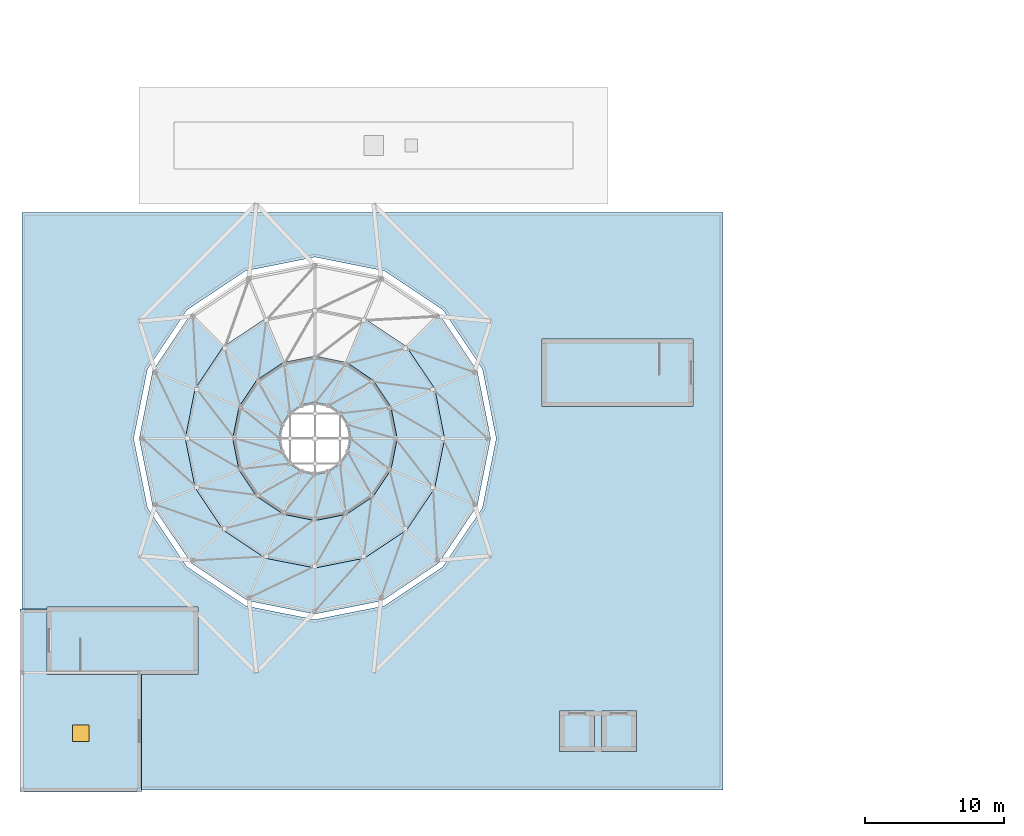
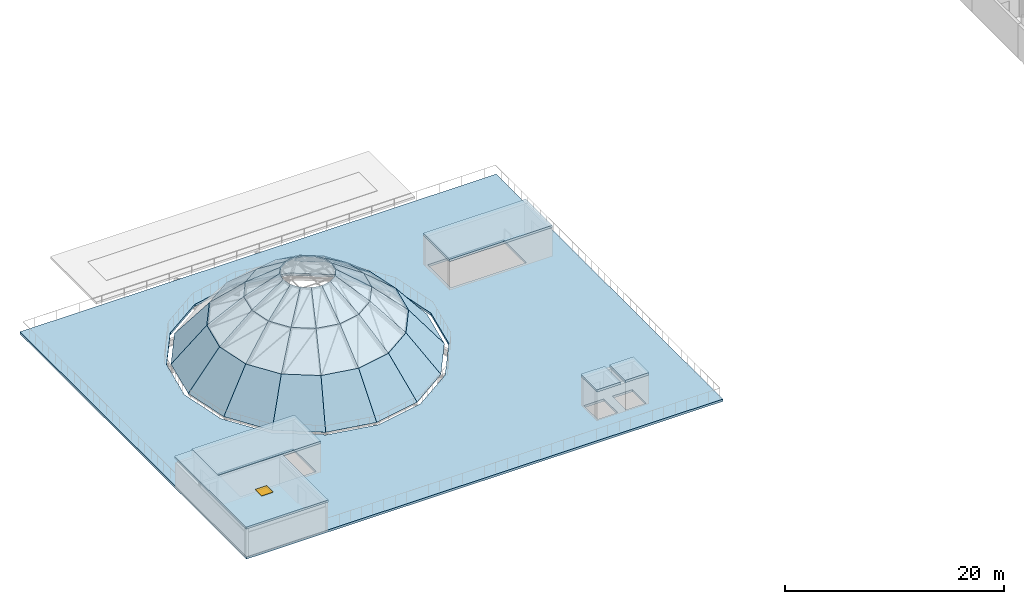
# One storey, part 18 of 40: 48 slabs, 1 window, 1 opening.
"""IFC4 building model written with IfcOpenShell, lengths in metres."""

from ifc_helpers import new_model, si_unit, direction, frame, origin, origin_2d, place, context, subcontext, project, spatial, polyline, rectangle, outline, extrude, material, layer, layer_set, type_object, element, fill, save


model = new_model("IFC4")

# Units and contexts
model_context = context("Model", 3, precision=1e-05, world=origin(), true_north=direction((0.0, 1.0)))
body_context = subcontext(model_context, "Body", "Model", "MODEL_VIEW")
ifc_project = project(units=[si_unit("LENGTHUNIT", "METRE"), si_unit("AREAUNIT", "SQUARE_METRE"), si_unit("VOLUMEUNIT", "CUBIC_METRE"), si_unit("PLANEANGLEUNIT", "RADIAN"), si_unit("MASSUNIT", "GRAM", prefix="KILO"), si_unit("THERMODYNAMICTEMPERATUREUNIT", "KELVIN")], contexts=[model_context])

# Site, building, storey
site_placement = place(None, origin())
site = spatial("IfcSite", under=ifc_project, at=site_placement, CompositionType="ELEMENT")
building_placement = place(site_placement, origin())
building = spatial("IfcBuilding", under=site, at=building_placement, Name="Lustrewick Department Store", CompositionType="ELEMENT")
storey_placement = place(building_placement, frame((0.0, 0.0, 31.800048828125)))
storey = spatial("IfcBuildingStorey", under=building, at=storey_placement, Name="L07", CompositionType="ELEMENT", Elevation=31.800048828125)

# Slab, opening, window
ifc_material_1 = material(Name="Concrete C35", Category="concrete")
ifc_layer_1 = layer(ifc_material_1, 0.248046875, Name="Concrete C35")
ifc_layer_set_1 = layer_set([ifc_layer_1], Name="Concrete C35")
slab_type_1 = type_object("IfcSlabType", Name="RS01", PredefinedType="ROOF", material=ifc_layer_set_1)
slab_1_placement = place(storey_placement, frame((0.0, 0.0, 3.199951171875)))
slab_1 = element("IfcSlab", 1, at=slab_1_placement, inside=storey, type_object=slab_type_1, Name="L07 Refuge Lounge Roof Slab", PredefinedType="ROOF", context=body_context, shape_type="SweptSolid", body=[
    extrude(outline(polyline([(10.175048828125, 50.27490234375), (10.175048828125, 54.949951171875), (8.25, 54.949951171875), (8.25, 50.27490234375), (8.25, 41.85009765625), (16.949951171875, 41.85009765625), (16.949951171875, 50.27490234375), (10.175048828125, 50.27490234375)])), origin(), (0.0, 0.0, 1.0), 0.248046875),
])
opening_placement = place(slab_1_placement, frame((12.60009765625, 46.0625, -0.010009765625)))
opening = element("IfcOpeningElement", 2, at=opening_placement, cuts=slab_1, Name="Opening SK01", PredefinedType="OPENING", context=body_context, shape_type="SweptSolid", body=[
    extrude(rectangle(XDim=1.199951171875, YDim=1.199951171875, at=origin_2d()), origin(), (0.0, 0.0, 1.0), 0.26806640625),
])
ifc_material_2 = material(Name="Thermally broken Low-E triple-glazed skylight", Category="glass")
window_type = type_object("IfcWindowType", Name="SK01", PartitioningType="SINGLE_PANEL", PredefinedType="SKYLIGHT", material=ifc_material_2)
window_placement = place(opening_placement, frame((0.0, 0.0, 0.2080078125)))
window = element("IfcWindow", 3, at=window_placement, inside=storey, type_object=window_type, Name="L07 Roof Skylight SK01", OverallHeight=1.199951171875, OverallWidth=1.199951171875, PartitioningType="SINGLE_PANEL", PredefinedType="SKYLIGHT", context=body_context, shape_type="SweptSolid", body=[
    extrude(rectangle(XDim=1.199951171875, YDim=1.199951171875, at=origin_2d()), origin(), (0.0, 0.0, 1.0), 0.050048828125),
])
fill(opening, window)

# Slabs
ifc_layer_2 = layer(ifc_material_1, 0.26806640625, Name="Concrete C35")
ifc_layer_set_2 = layer_set([ifc_layer_2], Name="Concrete C35")
slab_type_2 = type_object("IfcSlabType", Name="RS02", PredefinedType="ROOF", material=ifc_layer_set_2)
slab_2_placement = place(storey_placement, frame((0.0, 0.0, 3.199951171875)))
element("IfcSlab", 4, at=slab_2_placement, inside=storey, type_object=slab_type_2, Name="L07 Stair ST01 Head-House Roof Slab", PredefinedType="ROOF", context=body_context, shape_type="SweptSolid", body=[
    extrude(outline(polyline([(21.02001953125, 50.280029296875), (21.02001953125, 55.1201171875), (10.179931640625, 55.1201171875), (10.179931640625, 50.280029296875), (21.02001953125, 50.280029296875)])), origin(), (0.0, 0.0, 1.0), 0.26806640625),
])
slab_3_placement = place(storey_placement, frame((0.0, 0.0, 3.199951171875)))
element("IfcSlab", 5, at=slab_3_placement, inside=storey, type_object=slab_type_2, Name="L07 Stair ST02 Head-House Roof Slab", PredefinedType="ROOF", context=body_context, shape_type="SweptSolid", body=[
    extrude(outline(polyline([(56.52001953125, 69.47998046875), (56.52001953125, 74.320068359375), (45.679931640625, 74.320068359375), (45.679931640625, 69.47998046875), (56.52001953125, 69.47998046875)])), origin(), (0.0, 0.0, 1.0), 0.26806640625),
])
slab_4_placement = place(storey_placement, frame((0.0, 0.0, 3.199951171875)))
element("IfcSlab", 6, at=slab_4_placement, inside=storey, type_object=slab_type_2, Name="L07 Lift PL-01 Overrun Cap Slab", PredefinedType="ROOF", context=body_context, shape_type="SweptSolid", body=[
    extrude(outline(polyline([(49.4599609375, 44.739990234375), (49.4599609375, 47.659912109375), (46.93994140625, 47.659912109375), (46.93994140625, 44.739990234375), (49.4599609375, 44.739990234375)])), origin(), (0.0, 0.0, 1.0), 0.26806640625),
])
slab_5_placement = place(storey_placement, frame((0.0, 0.0, 3.199951171875)))
element("IfcSlab", 7, at=slab_5_placement, inside=storey, type_object=slab_type_2, Name="L07 Lift PL-02 Overrun Cap Slab", PredefinedType="ROOF", context=body_context, shape_type="SweptSolid", body=[
    extrude(outline(polyline([(52.4599609375, 44.739990234375), (52.4599609375, 47.659912109375), (49.93994140625, 47.659912109375), (49.93994140625, 44.739990234375), (52.4599609375, 44.739990234375)])), origin(), (0.0, 0.0, 1.0), 0.26806640625),
])
ifc_material_3 = material(Name="Low-E laminated safety glass", Category="glass")
ifc_layer_3 = layer(ifc_material_3, 0.1201171875, Name="Low-E laminated safety glass")
ifc_layer_set_3 = layer_set([ifc_layer_3], Name="Low-E laminated safety glass")
slab_type_3 = type_object("IfcSlabType", Name="RS03", PredefinedType="ROOF", material=ifc_layer_set_3)
slab_6_placement = place(storey_placement, frame((42.0, 67.199951171875, 0.0), z_axis=(0.76618615276, 0.152375695202, 0.624291940386), x_axis=(-0.195059458558, 0.980791419009, 4.93646e-06)))
element("IfcSlab", 8, at=slab_6_placement, inside=storey, type_object=slab_type_3, Name="V1 Dome Glazed Roof Facet 1.01", PredefinedType="ROOF", context=body_context, shape_type="SweptSolid", body=[
    extrude(outline(polyline([(0.0, 0.0), (4.916216816077559, 0.0), (4.2724988449588555, 5.1844262045422935), (0.6437257305349536, 5.184480201576811), (0.0, 0.0)])), origin(), (0.0, 0.0, -1.0), 0.1201171875),
])
slab_7_placement = place(storey_placement, frame((41.041015625, 72.021728515625, 0.0), z_axis=(0.649531729752, 0.434018074935, 0.624289069803), x_axis=(-0.555578478152, 0.831464102989, -7.367468e-06)))
element("IfcSlab", 9, at=slab_7_placement, inside=storey, type_object=slab_type_3, Name="V1 Dome Glazed Roof Facet 1.02", PredefinedType="ROOF", context=body_context, shape_type="SweptSolid", body=[
    extrude(outline(polyline([(0.0, 0.0), (4.916466541508716, 2.220446049250313e-16), (4.272658675022863, 5.1844782743275335), (0.64394762587182, 5.184397684395438), (0.0, 0.0)])), origin(), (0.0, 0.0, -1.0), 0.1201171875),
])
slab_8_placement = place(storey_placement, frame((20.490478515625, 76.109619140625, 0.0), z_axis=(-0.649531729752, 0.434018074935, 0.624289069803), x_axis=(-0.555578478152, -0.831464102989, 7.367468e-06)))
element("IfcSlab", 10, at=slab_8_placement, inside=storey, type_object=slab_type_3, Name="V1 Dome Glazed Roof Facet 1.07", PredefinedType="ROOF", context=body_context, shape_type="SweptSolid", body=[
    extrude(outline(polyline([(0.0, 0.0), (4.916466541508716, -2.220446049250313e-16), (4.272518915636896, 5.184397684395438), (0.6438078664858531, 5.1844782743275335), (0.0, 0.0)])), origin(), (0.0, 0.0, -1.0), 0.1201171875),
])
slab_9_placement = place(storey_placement, frame((17.759033203125, 72.021728515625, 0.0), z_axis=(-0.76618615276, 0.152375695202, 0.624291940386), x_axis=(-0.195059458558, -0.980791419009, -4.93646e-06)))
element("IfcSlab", 11, at=slab_9_placement, inside=storey, type_object=slab_type_3, Name="V1 Dome Glazed Roof Facet 1.08", PredefinedType="ROOF", context=body_context, shape_type="SweptSolid", body=[
    extrude(outline(polyline([(0.0, 0.0), (4.916216816077559, 0.0), (4.272491085542605, 5.184480201576811), (0.6437179711187025, 5.1844262045422935), (0.0, 0.0)])), origin(), (0.0, 0.0, -1.0), 0.1201171875),
])
slab_10_placement = place(storey_placement, frame((16.800048828125, 67.199951171875, 0.0), z_axis=(-0.766183106686, -0.152379528341, 0.624294743188), x_axis=(0.1950627943, -0.980790755602, 2.218497e-06)))
element("IfcSlab", 12, at=slab_10_placement, inside=storey, type_object=slab_type_3, Name="V1 Dome Glazed Roof Facet 1.09", PredefinedType="ROOF", context=body_context, shape_type="SweptSolid", body=[
    extrude(outline(polyline([(0.0, 0.0), (4.916216816200211, 0.0), (4.272259394116398, 5.184455935436748), (0.6437257307641989, 5.184480201664653), (0.0, 0.0)])), origin(), (0.0, 0.0, -1.0), 0.1201171875),
])
slab_11_placement = place(storey_placement, frame((17.759033203125, 62.378173828125, 0.0), z_axis=(-0.649531729752, -0.434018074935, 0.624289069803), x_axis=(0.555587418573, -0.831458129004, 6.087684e-06)))
element("IfcSlab", 13, at=slab_11_placement, inside=storey, type_object=slab_type_3, Name="V1 Dome Glazed Roof Facet 1.10", PredefinedType="ROOF", context=body_context, shape_type="SweptSolid", body=[
    extrude(outline(polyline([(0.0, 0.0), (4.916263548072178, -2.220446049250313e-16), (4.272747971027023, 5.184404681957879), (0.6438339283188833, 5.184471272819878), (0.0, 0.0)])), origin(), (0.0, 0.0, -1.0), 0.1201171875),
])
slab_12_placement = place(storey_placement, frame((20.490478515625, 58.29052734375, 0.0), z_axis=(-0.434014715153, -0.649537784812, 0.624285105646), x_axis=(0.831460801551, -0.555583418927, -9.931779e-06)))
element("IfcSlab", 14, at=slab_12_placement, inside=storey, type_object=slab_type_3, Name="V1 Dome Glazed Roof Facet 1.11", PredefinedType="ROOF", context=body_context, shape_type="SweptSolid", body=[
    extrude(outline(polyline([(0.0, 0.0), (4.916263547683773, 0.0), (4.272429620090834, 5.1844712725417175), (0.6438542109991771, 5.184362637332207), (0.0, 0.0)])), origin(), (0.0, 0.0, -1.0), 0.1201171875),
])
slab_13_placement = place(storey_placement, frame((24.578125, 55.55908203125, 0.0), z_axis=(-0.152403196138, -0.766189881933, 0.624280650534), x_axis=(0.980787419506, -0.195079567374, 1.144801e-05)))
element("IfcSlab", 15, at=slab_13_placement, inside=storey, type_object=slab_type_3, Name="V1 Dome Glazed Roof Facet 1.12", PredefinedType="ROOF", context=body_context, shape_type="SweptSolid", body=[
    extrude(outline(polyline([(0.0, 0.0), (4.916216815404641, 0.0), (4.272538709544658, 5.184330716085981), (0.6439574205968828, 5.1844559348670325), (0.0, 0.0)])), origin(), (0.0, 0.0, -1.0), 0.1201171875),
])
slab_14_placement = place(storey_placement, frame((29.39990234375, 54.60009765625, 0.0), z_axis=(0.152399362503, -0.76619292853, 0.624277847259), x_axis=(0.980788083097, 0.1950762312, -8.729679e-06)))
element("IfcSlab", 16, at=slab_14_placement, inside=storey, type_object=slab_type_3, Name="V1 Dome Glazed Roof Facet 1.13", PredefinedType="ROOF", context=body_context, shape_type="SweptSolid", body=[
    extrude(outline(polyline([(0.0, 0.0), (4.916216815750587, 0.0), (4.272498845243012, 5.184426204308119), (0.6436781065065826, 5.184330716333754), (0.0, 0.0)])), origin(), (0.0, 0.0, -1.0), 0.1201171875),
])
slab_15_placement = place(storey_placement, frame((34.2216796875, 55.55908203125, 0.0), z_axis=(0.434007949039, -0.649549978552, 0.624277122386), x_axis=(0.831472157334, 0.555566424077, 4.217927e-06)))
element("IfcSlab", 17, at=slab_15_placement, inside=storey, type_object=slab_type_3, Name="V1 Dome Glazed Roof Facet 1.14", PredefinedType="ROOF", context=body_context, shape_type="SweptSolid", body=[
    extrude(outline(polyline([(0.0, 0.0), (4.916466541738861, -2.220446049250313e-16), (4.272523037417396, 5.184351547555737), (0.6439476263019663, 5.1843976845602615), (0.0, 0.0)])), origin(), (0.0, 0.0, -1.0), 0.1201171875),
])
slab_16_placement = place(storey_placement, frame((38.3095703125, 58.29052734375, 0.0), z_axis=(0.649531729752, -0.434018074935, 0.624289069803), x_axis=(0.555587418573, 0.831458129004, -6.087684e-06)))
element("IfcSlab", 18, at=slab_16_placement, inside=storey, type_object=slab_type_3, Name="V1 Dome Glazed Roof Facet 1.15", PredefinedType="ROOF", context=body_context, shape_type="SweptSolid", body=[
    extrude(outline(polyline([(0.0, 0.0), (4.916263548072178, 2.220446049250313e-16), (4.272429619753295, 5.184471272819878), (0.6435155770451554, 5.184404681957879), (0.0, 0.0)])), origin(), (0.0, 0.0, -1.0), 0.1201171875),
])
slab_17_placement = place(storey_placement, frame((41.041015625, 62.378173828125, 0.0), z_axis=(0.766183106686, -0.152379528341, 0.624294743188), x_axis=(0.1950627943, 0.980790755602, -2.218497e-06)))
element("IfcSlab", 19, at=slab_17_placement, inside=storey, type_object=slab_type_3, Name="V1 Dome Glazed Roof Facet 1.16", PredefinedType="ROOF", context=body_context, shape_type="SweptSolid", body=[
    extrude(outline(polyline([(0.0, 0.0), (4.916216816200211, 0.0), (4.272491085436012, 5.184480201664653), (0.6439574220838139, 5.184455935436748), (0.0, 0.0)])), origin(), (0.0, 0.0, -1.0), 0.1201171875),
])
slab_18_placement = place(storey_placement, frame((38.699951171875, 67.199951171875, 4.050048828125), z_axis=(0.643590530355, 0.128010388792, 0.754589007075), x_axis=(-0.195058009029, 0.980791707126, -1.8606516e-05)))
element("IfcSlab", 20, at=slab_18_placement, inside=storey, type_object=slab_type_3, Name="V1 Dome Glazed Roof Facet 2.01", PredefinedType="ROOF", context=body_context, shape_type="SweptSolid", body=[
    extrude(outline(polyline([(0.0, 0.0), (3.6287731139307073, -1.1102230246251565e-16), (2.965191716224538, 4.4193350369515505), (0.663124224985267, 4.419166867697454), (0.0, 0.0)])), origin(), (0.0, 0.0, -1.0), 0.1201171875),
])
slab_19_placement = place(storey_placement, frame((37.9921875, 70.759033203125, 4.050048828125), z_axis=(0.545601917692, 0.364563000355, 0.754594173171), x_axis=(-0.55558897276, 0.831457090353, 1.5793206e-05)))
element("IfcSlab", 21, at=slab_19_placement, inside=storey, type_object=slab_type_3, Name="V1 Dome Glazed Roof Facet 2.02", PredefinedType="ROOF", context=body_context, shape_type="SweptSolid", body=[
    extrude(outline(polyline([(0.0, 0.0), (3.6287110497150543, 0.0), (2.9653523535894264, 4.419219597461074), (0.663399563627661, 4.419362336517137), (0.0, 0.0)])), origin(), (0.0, 0.0, -1.0), 0.1201171875),
])
slab_20_placement = place(storey_placement, frame((35.97607421875, 73.776123046875, 4.050048828125), z_axis=(0.364554744013, 0.545616573378, 0.754587565146), x_axis=(-0.83148025872, 0.555554299199, 5.82855e-07)))
element("IfcSlab", 22, at=slab_20_placement, inside=storey, type_object=slab_type_3, Name="V1 Dome Glazed Roof Facet 2.03", PredefinedType="ROOF", context=body_context, shape_type="SweptSolid", body=[
    extrude(outline(polyline([(0.0, 0.0), (3.6285754115597104, -2.220446049250313e-16), (2.9654980406194027, 4.419237156119879), (0.663206614318742, 4.419242424080563), (0.0, 0.0)])), origin(), (0.0, 0.0, -1.0), 0.1201171875),
])
slab_21_placement = place(storey_placement, frame((25.841064453125, 75.7919921875, 4.050048828125), z_axis=(-0.364571443837, 0.545614554135, 0.754580956992), x_axis=(-0.831474787549, -0.55556248751, -1.190713e-05)))
element("IfcSlab", 23, at=slab_21_placement, inside=storey, type_object=slab_type_3, Name="V1 Dome Glazed Roof Facet 2.06", PredefinedType="ROOF", context=body_context, shape_type="SweptSolid", body=[
    extrude(outline(polyline([(0.0, 0.0), (3.6285754111090314, 2.220446049250313e-16), (2.9653687976092744, 4.419242423833424), (0.6632803683001177, 4.419134809635477), (0.0, 0.0)])), origin(), (0.0, 0.0, -1.0), 0.1201171875),
])
slab_22_placement = place(storey_placement, frame((22.823974609375, 73.776123046875, 4.050048828125), z_axis=(-0.545601917692, 0.364563000355, 0.754594173171), x_axis=(-0.55558897276, -0.831457090353, -1.5793206e-05)))
element("IfcSlab", 24, at=slab_22_placement, inside=storey, type_object=slab_type_3, Name="V1 Dome Glazed Roof Facet 2.07", PredefinedType="ROOF", context=body_context, shape_type="SweptSolid", body=[
    extrude(outline(polyline([(0.0, 0.0), (3.6287110497150543, 0.0), (2.9653114860873933, 4.419362336517137), (0.663358696125628, 4.419219597461074), (0.0, 0.0)])), origin(), (0.0, 0.0, -1.0), 0.1201171875),
])
slab_23_placement = place(storey_placement, frame((20.807861328125, 70.759033203125, 4.050048828125), z_axis=(-0.643590530355, 0.128010388792, 0.754589007075), x_axis=(-0.195058009029, -0.980791707126, 1.8606516e-05)))
element("IfcSlab", 25, at=slab_23_placement, inside=storey, type_object=slab_type_3, Name="V1 Dome Glazed Roof Facet 2.08", PredefinedType="ROOF", context=body_context, shape_type="SweptSolid", body=[
    extrude(outline(polyline([(0.0, 0.0), (3.6287731139307073, 1.1102230246251565e-16), (2.96564888894544, 4.419166867697454), (0.6635813977061698, 4.4193350369515505), (0.0, 0.0)])), origin(), (0.0, 0.0, -1.0), 0.1201171875),
])
slab_24_placement = place(storey_placement, frame((20.10009765625, 67.199951171875, 4.050048828125), z_axis=(-0.643592119284, -0.128016077787, 0.754586686752), x_axis=(0.195068729523, -0.980789575038, -1.6084953e-05)))
element("IfcSlab", 26, at=slab_24_placement, inside=storey, type_object=slab_type_3, Name="V1 Dome Glazed Roof Facet 2.09", PredefinedType="ROOF", context=body_context, shape_type="SweptSolid", body=[
    extrude(outline(polyline([(0.0, 0.0), (3.6285336626510265, 1.1102230246251565e-16), (2.9652354791356292, 4.419305673527177), (0.6631679859043474, 4.419160301099356), (0.0, 0.0)])), origin(), (0.0, 0.0, -1.0), 0.1201171875),
])
slab_25_placement = place(storey_placement, frame((20.807861328125, 63.64111328125, 4.050048828125), z_axis=(-0.545616573378, -0.364554744013, 0.754587565146), x_axis=(0.555563087921, -0.831474386416, 8.608986e-06)))
element("IfcSlab", 27, at=slab_25_placement, inside=storey, type_object=slab_type_3, Name="V1 Dome Glazed Roof Facet 2.10", PredefinedType="ROOF", context=body_context, shape_type="SweptSolid", body=[
    extrude(outline(polyline([(0.0, 0.0), (3.628914043399602, 2.220446049250313e-16), (2.9654307003508897, 4.419200885664763), (0.6634779063981924, 4.419278695478957), (0.0, 0.0)])), origin(), (0.0, 0.0, -1.0), 0.1201171875),
])
slab_26_placement = place(storey_placement, frame((22.823974609375, 60.623779296875, 4.050048828125), z_axis=(-0.364571443837, -0.545614554135, 0.754580956992), x_axis=(0.831474787549, -0.55556248751, 1.190713e-05)))
element("IfcSlab", 28, at=slab_26_placement, inside=storey, type_object=slab_type_3, Name="V1 Dome Glazed Roof Facet 2.11", PredefinedType="ROOF", context=body_context, shape_type="SweptSolid", body=[
    extrude(outline(polyline([(0.0, 0.0), (3.6285754111090314, -2.220446049250313e-16), (2.9652950428089135, 4.419134809635477), (0.6632066134997568, 4.419242423833423), (0.0, 0.0)])), origin(), (0.0, 0.0, -1.0), 0.1201171875),
])
slab_27_placement = place(storey_placement, frame((25.841064453125, 58.60791015625, 4.050048828125), z_axis=(-0.128016077787, -0.643592119284, 0.754586686752), x_axis=(0.980782244638, -0.195105582512, -1.6590819e-05)))
element("IfcSlab", 29, at=slab_27_placement, inside=storey, type_object=slab_type_3, Name="V1 Dome Glazed Roof Facet 2.12", PredefinedType="ROOF", context=body_context, shape_type="SweptSolid", body=[
    extrude(outline(polyline([(0.0, 0.0), (3.628581291351255, 1.1102230246251565e-16), (2.965145619135532, 4.41930795724412), (0.6631257547183094, 4.419158012907798), (0.0, 0.0)])), origin(), (0.0, 0.0, -1.0), 0.1201171875),
])
slab_28_placement = place(storey_placement, frame((29.39990234375, 57.89990234375, 4.050048828125), z_axis=(0.128010388792, -0.643590530355, 0.754589007075), x_axis=(0.980784377629, 0.195094860005, 1.4067153e-05)))
element("IfcSlab", 30, at=slab_28_placement, inside=storey, type_object=slab_type_3, Name="V1 Dome Glazed Roof Facet 2.13", PredefinedType="ROOF", context=body_context, shape_type="SweptSolid", body=[
    extrude(outline(polyline([(0.0, 0.0), (3.6288207400133827, -1.1102230246251565e-16), (2.965411761914561, 4.419187387415583), (0.6633918957365325, 4.419314529040575), (0.0, 0.0)])), origin(), (0.0, 0.0, -1.0), 0.1201171875),
])
slab_29_placement = place(storey_placement, frame((32.958984375, 58.60791015625, 4.050048828125), z_axis=(0.364554744013, -0.545616573378, 0.754587565146), x_axis=(0.83148025872, 0.555554299199, -5.82855e-07)))
element("IfcSlab", 31, at=slab_29_placement, inside=storey, type_object=slab_type_3, Name="V1 Dome Glazed Roof Facet 2.14", PredefinedType="ROOF", context=body_context, shape_type="SweptSolid", body=[
    extrude(outline(polyline([(0.0, 0.0), (3.6285754115597104, 2.220446049250313e-16), (2.9653687972409686, 4.419242424080562), (0.6630773709403076, 4.4192371561198796), (0.0, 0.0)])), origin(), (0.0, 0.0, -1.0), 0.1201171875),
])
slab_30_placement = place(storey_placement, frame((35.97607421875, 60.623779296875, 4.050048828125), z_axis=(0.545616573378, -0.364554744013, 0.754587565146), x_axis=(0.555563087921, 0.831474386416, -8.608986e-06)))
element("IfcSlab", 32, at=slab_30_placement, inside=storey, type_object=slab_type_3, Name="V1 Dome Glazed Roof Facet 2.15", PredefinedType="ROOF", context=body_context, shape_type="SweptSolid", body=[
    extrude(outline(polyline([(0.0, 0.0), (3.628914043399602, -2.220446049250313e-16), (2.9654361370014097, 4.419278695478957), (0.6634833430487124, 4.419200885664763), (0.0, 0.0)])), origin(), (0.0, 0.0, -1.0), 0.1201171875),
])
slab_31_placement = place(storey_placement, frame((37.9921875, 63.64111328125, 4.050048828125), z_axis=(0.643592119284, -0.128016077787, 0.754586686752), x_axis=(0.195068729523, 0.980789575038, 1.6084953e-05)))
element("IfcSlab", 33, at=slab_31_placement, inside=storey, type_object=slab_type_3, Name="V1 Dome Glazed Roof Facet 2.16", PredefinedType="ROOF", context=body_context, shape_type="SweptSolid", body=[
    extrude(outline(polyline([(0.0, 0.0), (3.6285336626510265, -1.1102230246251565e-16), (2.965365676746679, 4.419160301099356), (0.663298183515397, 4.419305673527177), (0.0, 0.0)])), origin(), (0.0, 0.0, -1.0), 0.1201171875),
])
slab_32_placement = place(storey_placement, frame((35.300048828125, 67.199951171875, 6.949951171875), z_axis=(0.559825087538, 0.111385192665, 0.821090257047), x_axis=(-0.195137807231, 0.980775833811, -1.053715e-06)))
element("IfcSlab", 34, at=slab_32_placement, inside=storey, type_object=slab_type_3, Name="V1 Dome Glazed Roof Facet 3.01", PredefinedType="ROOF", context=body_context, shape_type="SweptSolid", body=[
    extrude(outline(polyline([(0.0, 0.0), (2.3020674991187997, 5.551115123125783e-17), (1.6585857152289394, 3.9418502738934267), (0.6439619212156069, 3.94184415115879), (0.0, 0.0)])), origin(), (0.0, 0.0, -1.0), 0.1201171875),
])
slab_33_placement = place(storey_placement, frame((34.850830078125, 69.457763671875, 6.949951171875), z_axis=(0.474631540082, 0.317093368877, 0.821082636873), x_axis=(-0.555526630321, 0.831498744988, 9.404463e-06)))
element("IfcSlab", 35, at=slab_33_placement, inside=storey, type_object=slab_type_3, Name="V1 Dome Glazed Roof Facet 3.02", PredefinedType="ROOF", context=body_context, shape_type="SweptSolid", body=[
    extrude(outline(polyline([(0.0, 0.0), (2.301952795489069, 0.0), (1.6581971065941712, 3.9417441962446564), (0.6437968071037892, 3.9417988353628974), (0.0, 0.0)])), origin(), (0.0, 0.0, -1.0), 0.1201171875),
])
slab_34_placement = place(storey_placement, frame((33.572021484375, 71.371826171875, 6.949951171875), z_axis=(0.317105236367, 0.474628428515, 0.821079852338), x_axis=(-0.831484107569, 0.555548538541, -1.3598368e-05)))
element("IfcSlab", 36, at=slab_34_placement, inside=storey, type_object=slab_type_3, Name="V1 Dome Glazed Roof Facet 3.03", PredefinedType="ROOF", context=body_context, shape_type="SweptSolid", body=[
    extrude(outline(polyline([(0.0, 0.0), (2.3022914259926512, 0.0), (1.6583999056032104, 3.941783364990674), (0.6439996080924693, 3.9417043521338613), (0.0, 0.0)])), origin(), (0.0, 0.0, -1.0), 0.1201171875),
])
slab_35_placement = place(storey_placement, frame((31.65771484375, 72.65087890625, 6.949951171875), z_axis=(0.111385192665, 0.559825087538, 0.821090257047), x_axis=(-0.980775833811, 0.195137807231, 1.053715e-06)))
element("IfcSlab", 37, at=slab_35_placement, inside=storey, type_object=slab_type_3, Name="V1 Dome Glazed Roof Facet 3.04", PredefinedType="ROOF", context=body_context, shape_type="SweptSolid", body=[
    extrude(outline(polyline([(0.0, 0.0), (2.3020674991187997, -5.551115123125783e-17), (1.6581055779031928, 3.94184415115879), (0.6434817838898604, 3.9418502738934267), (0.0, 0.0)])), origin(), (0.0, 0.0, -1.0), 0.1201171875),
])
slab_36_placement = place(storey_placement, frame((29.39990234375, 73.10009765625, 6.949951171875), z_axis=(-0.111392681975, 0.559820709901, 0.821092225739), x_axis=(-0.980774920472, -0.195142397525, -7.786324e-06)))
element("IfcSlab", 38, at=slab_36_placement, inside=storey, type_object=slab_type_3, Name="V1 Dome Glazed Roof Facet 3.05", PredefinedType="ROOF", context=body_context, shape_type="SweptSolid", body=[
    extrude(outline(polyline([(0.0, 0.0), (2.3020674990171885, -5.551115123125783e-17), (1.6583462680421879, 3.9418893914424027), (0.6439619210408082, 3.941844151128004), (0.0, 0.0)])), origin(), (0.0, 0.0, -1.0), 0.1201171875),
])
slab_37_placement = place(storey_placement, frame((27.14208984375, 72.65087890625, 6.949951171875), z_axis=(-0.317120165938, 0.474608755038, 0.821085458401), x_axis=(-0.831454636706, -0.555592644492, 2.2045146e-05)))
element("IfcSlab", 39, at=slab_37_placement, inside=storey, type_object=slab_type_3, Name="V1 Dome Glazed Roof Facet 3.06", PredefinedType="ROOF", context=body_context, shape_type="SweptSolid", body=[
    extrude(outline(polyline([(0.0, 0.0), (2.3020884317067734, -1.1102230246251565e-16), (1.6582795093041185, 3.9417355015173965), (0.6438792179692098, 3.941863588063111), (0.0, 0.0)])), origin(), (0.0, 0.0, -1.0), 0.1201171875),
])
slab_38_placement = place(storey_placement, frame((25.22802734375, 71.371826171875, 6.949951171875), z_axis=(-0.474622164606, 0.317129125833, 0.82107424659), x_axis=(-0.555543213896, -0.831487665045, 1.928406e-05)))
element("IfcSlab", 40, at=slab_38_placement, inside=storey, type_object=slab_type_3, Name="V1 Dome Glazed Roof Facet 3.07", PredefinedType="ROOF", context=body_context, shape_type="SweptSolid", body=[
    extrude(outline(polyline([(0.0, 0.0), (2.3019527950051732, -2.220446049250313e-16), (1.6582916166798243, 3.941632155159976), (0.6437556880624311, 3.9417441960980204), (0.0, 0.0)])), origin(), (0.0, 0.0, -1.0), 0.1201171875),
])
slab_39_placement = place(storey_placement, frame((23.94921875, 69.457763671875, 6.949951171875), z_axis=(-0.559847088382, 0.111347552102, 0.82108036164), x_axis=(-0.195114736037, -0.980780423289, -3.2783134e-05)))
element("IfcSlab", 41, at=slab_39_placement, inside=storey, type_object=slab_type_3, Name="V1 Dome Glazed Roof Facet 3.08", PredefinedType="ROOF", context=body_context, shape_type="SweptSolid", body=[
    extrude(outline(polyline([(0.0, 0.0), (2.3020674972857735, -1.1102230246251565e-16), (1.6581055792234636, 3.9418441506034294), (0.6435294216270393, 3.941653667821333), (0.0, 0.0)])), origin(), (0.0, 0.0, -1.0), 0.1201171875),
])
slab_40_placement = place(storey_placement, frame((23.5, 67.199951171875, 6.949951171875), z_axis=(-0.559842712274, -0.11135503922, 0.82108233007), x_axis=(0.195119325256, -0.980779510508, 2.6052698e-05)))
element("IfcSlab", 42, at=slab_40_placement, inside=storey, type_object=slab_type_3, Name="V1 Dome Glazed Roof Facet 3.09", PredefinedType="ROOF", context=body_context, shape_type="SweptSolid", body=[
    extrude(outline(polyline([(0.0, 0.0), (2.3020674979618643, 0.0), (1.65829862791157, 3.941692784663231), (0.6439619192253683, 3.9418441508082678), (0.0, 0.0)])), origin(), (0.0, 0.0, -1.0), 0.1201171875),
])
slab_41_placement = place(storey_placement, frame((23.94921875, 64.942138671875, 6.949951171875), z_axis=(-0.474608755038, -0.317120165938, 0.821085458401), x_axis=(0.555543213267, -0.831487665466, -1.9283778e-05)))
element("IfcSlab", 43, at=slab_41_placement, inside=storey, type_object=slab_type_3, Name="V1 Dome Glazed Roof Facet 3.10", PredefinedType="ROOF", context=body_context, shape_type="SweptSolid", body=[
    extrude(outline(polyline([(0.0, 0.0), (2.3019527950052088, 0.0), (1.6579941052060807, 3.941855558236806), (0.6434581765887752, 3.9417435157688363), (0.0, 0.0)])), origin(), (0.0, 0.0, -1.0), 0.1201171875),
])
slab_42_placement = place(storey_placement, frame((25.22802734375, 63.028076171875, 6.949951171875), z_axis=(-0.317142509136, -0.474579311168, 0.821093847444), x_axis=(0.831443557235, -0.555609225164, 6.640642e-06)))
element("IfcSlab", 44, at=slab_42_placement, inside=storey, type_object=slab_type_3, Name="V1 Dome Glazed Roof Facet 3.11", PredefinedType="ROOF", context=body_context, shape_type="SweptSolid", body=[
    extrude(outline(polyline([(0.0, 0.0), (2.302088432461224, 3.3306690738754696e-16), (1.658209213194128, 3.9418635882917172), (0.6436732778541334, 3.941902174093479), (0.0, 0.0)])), origin(), (0.0, 0.0, -1.0), 0.1201171875),
])
slab_43_placement = place(storey_placement, frame((27.14208984375, 61.7490234375, 6.949951171875), z_axis=(-0.111311841038, -0.559836790541, 0.821092225028), x_axis=(0.980797779441, -0.195027474267, -1.1142166e-05)))
element("IfcSlab", 45, at=slab_43_placement, inside=storey, type_object=slab_type_3, Name="V1 Dome Glazed Roof Facet 3.12", PredefinedType="ROOF", context=body_context, shape_type="SweptSolid", body=[
    extrude(outline(polyline([(0.0, 0.0), (2.302019870471116, -5.551115123125783e-17), (1.6583946126896545, 3.9418991355156594), (0.6440578926263332, 3.9418343988580475), (0.0, 0.0)])), origin(), (0.0, 0.0, -1.0), 0.1201171875),
])
slab_44_placement = place(storey_placement, frame((29.39990234375, 61.300048828125, 6.949951171875), z_axis=(0.111304356456, -0.559841164749, 0.82109025721), x_axis=(0.980798691507, 0.195022886912, 1.7870131e-05)))
element("IfcSlab", 46, at=slab_44_placement, inside=storey, type_object=slab_type_3, Name="V1 Dome Glazed Roof Facet 3.13", PredefinedType="ROOF", context=body_context, shape_type="SweptSolid", body=[
    extrude(outline(polyline([(0.0, 0.0), (2.3020198701378707, 5.551115123125783e-17), (1.6582014302989265, 3.941795301891479), (0.6436252572081433, 3.941899135414659), (0.0, 0.0)])), origin(), (0.0, 0.0, -1.0), 0.1201171875),
])
slab_45_placement = place(storey_placement, frame((31.65771484375, 61.7490234375, 6.949951171875), z_axis=(0.317127579744, -0.474598985266, 0.821088242122), x_axis=(0.831473028977, 0.555565119367, -1.5086565e-05)))
element("IfcSlab", 47, at=slab_45_placement, inside=storey, type_object=slab_type_3, Name="V1 Dome Glazed Roof Facet 3.14", PredefinedType="ROOF", context=body_context, shape_type="SweptSolid", body=[
    extrude(outline(polyline([(0.0, 0.0), (2.302291425919768, 1.1102230246251565e-16), (1.6584274518391888, 3.941871030384521), (0.6438915202640584, 3.9417833649685865), (0.0, 0.0)])), origin(), (0.0, 0.0, -1.0), 0.1201171875),
])
slab_46_placement = place(storey_placement, frame((33.572021484375, 63.028076171875, 6.949951171875), z_axis=(0.474618131624, -0.31708441091, 0.821093846945), x_axis=(0.555526630628, 0.831498744782, -9.404325e-06)))
element("IfcSlab", 48, at=slab_46_placement, inside=storey, type_object=slab_type_3, Name="V1 Dome Glazed Roof Facet 3.15", PredefinedType="ROOF", context=body_context, shape_type="SweptSolid", body=[
    extrude(outline(polyline([(0.0, 0.0), (2.3019527954890773, -1.1102230246251565e-16), (1.6583589901218665, 3.9419101982476104), (0.6439586906315051, 3.9418555583833927), (0.0, 0.0)])), origin(), (0.0, 0.0, -1.0), 0.1201171875),
])
slab_47_placement = place(storey_placement, frame((34.850830078125, 64.942138671875, 6.949951171875), z_axis=(0.559820709901, -0.111392681975, 0.821092225739), x_axis=(0.195142397525, 0.980774920472, 7.786324e-06)))
element("IfcSlab", 49, at=slab_47_placement, inside=storey, type_object=slab_type_3, Name="V1 Dome Glazed Roof Facet 3.16", PredefinedType="ROOF", context=body_context, shape_type="SweptSolid", body=[
    extrude(outline(polyline([(0.0, 0.0), (2.3020674990171885, 5.551115123125783e-17), (1.6581055779763803, 3.941844151128004), (0.6437212309750008, 3.9418893914424027), (0.0, 0.0)])), origin(), (0.0, 0.0, -1.0), 0.1201171875),
])
ifc_layer_4 = layer(ifc_material_1, 0.2548828125, Name="Concrete C35")
ifc_layer_set_4 = layer_set([ifc_layer_4], Name="Concrete C35")
slab_type_4 = type_object("IfcSlabType", Name="TS02", PredefinedType="FLOOR", material=ifc_layer_set_4)
slab_48_placement = place(storey_placement, frame((0.0, 0.0, -0.255126953125)))
element("IfcSlab", 50, at=slab_48_placement, inside=storey, type_object=slab_type_4, Name="L07 V1_REF Fire Refuge Deck TS02", PredefinedType="FLOOR", context=body_context, shape_type="SweptSolid", body=[
    extrude(outline(polyline([(8.39990234375, 42.0), (58.64990234375, 42.0), (58.64990234375, 83.39990234375), (8.39990234375, 83.39990234375), (8.39990234375, 42.0)]), holes=[polyline([(41.410400390625, 72.1748046875), (42.39990234375, 67.199951171875), (41.410400390625, 62.22509765625), (38.59228515625, 58.007568359375), (34.375, 55.189697265625), (29.39990234375, 54.199951171875), (24.425048828125, 55.189697265625), (20.20751953125, 58.007568359375), (17.3896484375, 62.22509765625), (16.39990234375, 67.199951171875), (17.3896484375, 72.1748046875), (20.20751953125, 76.392333984375), (24.425048828125, 79.21044921875), (29.39990234375, 80.199951171875), (34.375, 79.21044921875), (38.59228515625, 76.392333984375), (41.410400390625, 72.1748046875)]), polyline([(49.25, 47.449951171875), (49.25, 44.949951171875), (47.14990234375, 44.949951171875), (47.14990234375, 47.449951171875), (49.25, 47.449951171875)]), polyline([(52.25, 47.449951171875), (52.25, 44.949951171875), (50.14990234375, 44.949951171875), (50.14990234375, 47.449951171875), (52.25, 47.449951171875)]), polyline([(20.699951171875, 54.800048828125), (20.699951171875, 50.60009765625), (12.719970703125, 50.60009765625), (12.719970703125, 54.800048828125), (20.699951171875, 54.800048828125)]), polyline([(53.97998046875, 74.0), (53.97998046875, 69.800048828125), (46.0, 69.800048828125), (46.0, 74.0), (53.97998046875, 74.0)])]), origin(), (0.0, 0.0, 1.0), 0.255126953125),
])

save(model, "model.ifc")
